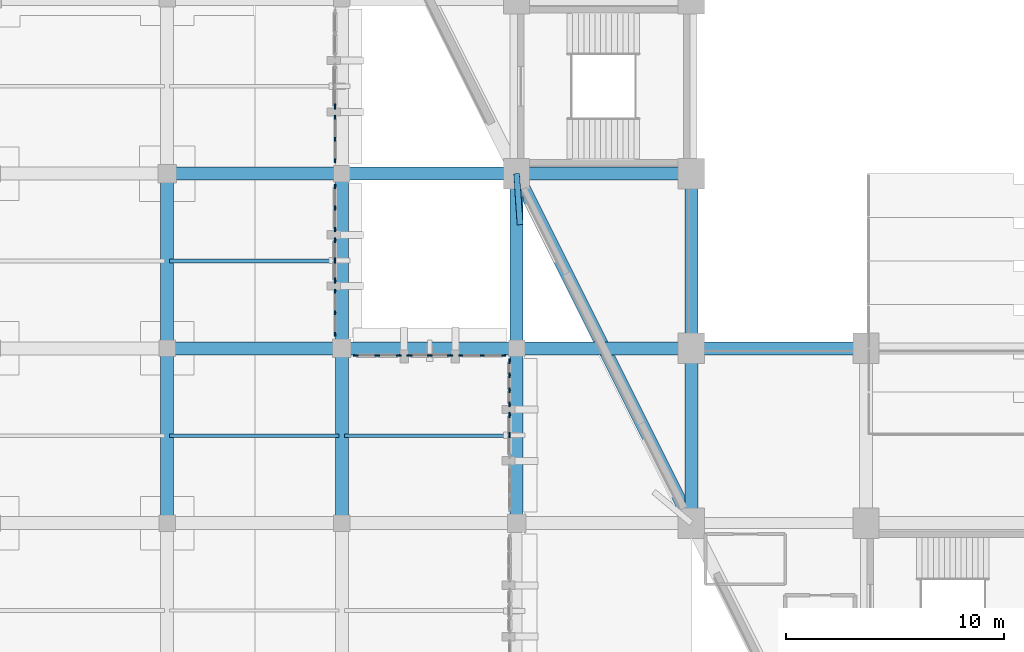
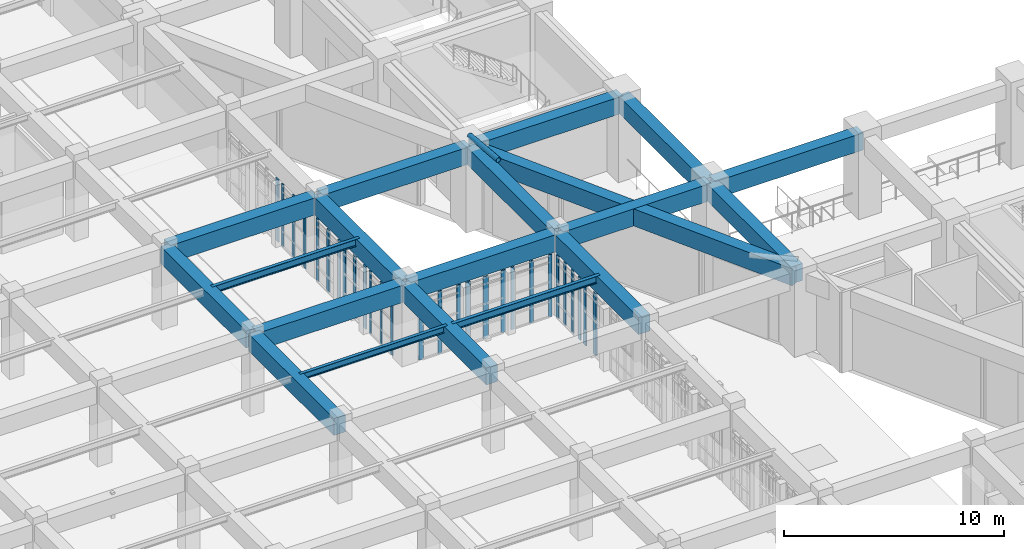
# One storey, part 16 of 155: 29 members, 19 beams, 10 elements without a shape of their own.
"""IFC4 building model written with IfcOpenShell, lengths in metres."""

import ifcopenshell
import ifcopenshell.guid

model = None  # the IFC model being written
_history = None  # IfcOwnerHistory: only IFC2X3 demands one
_inside = {}  # id of a spatial element -> (the spatial element, [elements in it])
_under = {}  # id of a project, library or spatial element -> (it, [spatial elements below it])
_declared = {}  # id of a project -> (the project, [libraries it declares])
_typed = {}  # id of a type object -> (the type object, [elements of that type])
_made_of = {}  # id of a material, layer set ... -> (it, [elements and type objects made of it])


def new_model(schema):
    """Start an empty IFC model of exactly this schema.

    Asked for "IFC4X3", IfcOpenShell would pick the latest addendum, in which some entities
    have other attributes; the version numbers below select the first issue.
    IFC2X3 requires an IfcOwnerHistory on every rooted entity: one is made here for all.
    """
    global model, _history
    if schema == "IFC4X3":
        model = ifcopenshell.file(schema_version=(4, 3, 0, 0))
    else:
        model = ifcopenshell.file(schema=schema)
    _inside.clear()
    _under.clear()
    _declared.clear()
    _typed.clear()
    _made_of.clear()
    _history = None
    if model.schema == "IFC2X3":
        org = make("IfcOrganization", Name="unknown")
        user = make(
            "IfcPersonAndOrganization",
            ThePerson=make("IfcPerson", FamilyName="unknown"),
            TheOrganization=org,
        )
        app = make(
            "IfcApplication",
            ApplicationDeveloper=org,
            Version="unknown",
            ApplicationFullName="unknown",
            ApplicationIdentifier="unknown",
        )
        _history = make(
            "IfcOwnerHistory",
            OwningUser=user,
            OwningApplication=app,
            ChangeAction="ADDED",
            CreationDate=0,
        )
    return model


def make(cls, **values):
    """One entity of the class cls with the attributes given. An attribute that is None is left unset."""
    return model.create_entity(
        cls, **{name: value for name, value in values.items() if value is not None}
    )


def rooted(cls, **values):
    """An entity with a GlobalId (a new one), such as an element, a storey or a relation."""
    return make(cls, GlobalId=ifcopenshell.guid.new(), OwnerHistory=_history, **values)


def si_unit(unit_type, name, prefix=None):
    """IfcSIUnit, for example si_unit("LENGTHUNIT", "METRE", prefix="MILLI")."""
    return make("IfcSIUnit", UnitType=unit_type, Prefix=prefix, Name=name)


def assignment(units):
    """IfcUnitAssignment: the units of a project."""
    return None if units is None else make("IfcUnitAssignment", Units=units)


def point(xyz):
    """IfcCartesianPoint."""
    return None if xyz is None else make("IfcCartesianPoint", Coordinates=xyz)


def direction(xyz):
    """IfcDirection."""
    return None if xyz is None else make("IfcDirection", DirectionRatios=xyz)


def frame(location, z_axis=None, x_axis=None):
    """IfcAxis2Placement3D, a coordinate frame: its origin and axes. An axis left out is left unset."""
    return make(
        "IfcAxis2Placement3D",
        Location=point(location),
        Axis=direction(z_axis),
        RefDirection=direction(x_axis),
    )


def frame_2d(location, x_axis=None):
    """IfcAxis2Placement2D, a coordinate frame in the plane: its origin and x axis."""
    return make(
        "IfcAxis2Placement2D", Location=point(location), RefDirection=direction(x_axis)
    )


def origin():
    """The frame at (0, 0, 0) with its axes left unset."""
    return frame((0.0, 0.0, 0.0))


def origin_2d():
    """The frame at (0, 0) in the plane with its x axis left unset."""
    return frame_2d((0.0, 0.0))


def place(relative_to, where):
    """IfcLocalPlacement: puts the frame where relative to a parent placement (None: the world)."""
    return make(
        "IfcLocalPlacement", PlacementRelTo=relative_to, RelativePlacement=where
    )


def context(
    kind, dimensions, precision=None, world=None, true_north=None, identifier=None
):
    """IfcGeometricRepresentationContext, for example the 3D "Model" context."""
    return make(
        "IfcGeometricRepresentationContext",
        ContextIdentifier=identifier,
        ContextType=kind,
        CoordinateSpaceDimension=dimensions,
        Precision=precision,
        WorldCoordinateSystem=world,
        TrueNorth=true_north,
    )


def subcontext(parent, identifier, kind, view, scale=None):
    """IfcGeometricRepresentationSubContext, for example "Body" below "Model"."""
    return make(
        "IfcGeometricRepresentationSubContext",
        ContextIdentifier=identifier,
        ContextType=kind,
        ParentContext=parent,
        TargetScale=scale,
        TargetView=view,
    )


def project(units=None, contexts=None):
    """IfcProject with its units and contexts."""
    return rooted(
        "IfcProject",
        Name="project",
        RepresentationContexts=contexts,
        UnitsInContext=assignment(units),
    )


def spatial(cls, under=None, at=None, **own):
    """A site, building, storey or space (cls), placed at a placement, below another one or the project."""
    s = rooted(cls, ObjectPlacement=at, **own)
    if under is not None:
        _under.setdefault(under.id(), (under, []))[1].append(s)
    return s


def profile(cls, at=None, kind="AREA", **sizes):
    """A parametric profile (cls). Its sizes go by their IFC names, for example OverallWidth=200.0."""
    return make(cls, ProfileType=kind, Position=at, **sizes)


def rectangle(**sizes):
    """IfcRectangleProfileDef."""
    return profile("IfcRectangleProfileDef", **sizes)


def hollow_circle(**sizes):
    """IfcCircleHollowProfileDef."""
    return profile("IfcCircleHollowProfileDef", **sizes)


def i_section(**sizes):
    """IfcIShapeProfileDef."""
    return profile("IfcIShapeProfileDef", **sizes)


def extrude(swept, where, along, depth):
    """IfcExtrudedAreaSolid: the profile swept, set in the frame where, extruded along a direction by depth."""
    return make(
        "IfcExtrudedAreaSolid",
        SweptArea=swept,
        Position=where,
        ExtrudedDirection=direction(along),
        Depth=depth,
    )


def shape(context_of_items, identifier, shape_type, items):
    """IfcShapeRepresentation: the items that make up one representation, for example the "Body"."""
    return make(
        "IfcShapeRepresentation",
        ContextOfItems=context_of_items,
        RepresentationIdentifier=identifier,
        RepresentationType=shape_type,
        Items=items,
    )


def material(Name=None, Category=None):
    """IfcMaterial."""
    return make("IfcMaterial", Name=Name, Category=Category)


def layer(
    of_material, thickness, ventilated=None, Name=None, Category=None, Priority=None
):
    """IfcMaterialLayer: one layer of a wall or slab, of a material (None: an air gap)."""
    return make(
        "IfcMaterialLayer",
        Material=of_material,
        LayerThickness=thickness,
        IsVentilated=ventilated,
        Name=Name,
        Category=Category,
        Priority=Priority,
    )


def layer_set(layers, Name=None):
    """IfcMaterialLayerSet."""
    return make("IfcMaterialLayerSet", MaterialLayers=layers, LayerSetName=Name)


def material_profile(
    of_material, cross_section, Name=None, Category=None, Priority=None
):
    """IfcMaterialProfile: a cross section and its material."""
    return make(
        "IfcMaterialProfile",
        Name=Name,
        Material=of_material,
        Profile=cross_section,
        Priority=Priority,
        Category=Category,
    )


def profile_set(profiles, Name=None, composite=None):
    """IfcMaterialProfileSet."""
    return make(
        "IfcMaterialProfileSet",
        Name=Name,
        MaterialProfiles=profiles,
        CompositeProfile=composite,
    )


def made_of(thing, what):
    """Note that an element or type object is made of a material, layer set ...; save() writes the relation."""
    if what is not None:
        _made_of.setdefault(what.id(), (what, []))[1].append(thing)
    return thing


def type_object(cls, material=None, **own):
    """A type object (cls), such as IfcWallType, which elements share."""
    return made_of(rooted(cls, **own), material)


def element(
    cls,
    number,
    at=None,
    inside=None,
    cuts=None,
    type_object=None,
    material=None,
    context=None,
    identifier="Body",
    shape_type=None,
    held_by="IfcProductDefinitionShape",
    body=None,
    shapes=None,
    **own,
):
    """One element of the class cls, such as IfcWall. Its Tag is "e" and its number.

    at: its placement. inside: the storey or other place that contains it. cuts: it is an
    opening in that element (IfcRelVoidsElement). A single representation is given by context,
    identifier, shape_type and body (its items); several are given by shapes. held_by: the class
    of the entity that holds the representations. save() writes the other relations.
    """
    e = rooted(cls, Tag="e%d" % number, ObjectPlacement=at, **own)
    if body is not None:
        shapes = [shape(context, identifier, shape_type, body)]
    if shapes is not None:
        e.Representation = make(held_by, Representations=shapes)
    if inside is not None:
        _inside.setdefault(inside.id(), (inside, []))[1].append(e)
    if cuts is not None:
        rooted(
            "IfcRelVoidsElement", RelatingBuildingElement=cuts, RelatedOpeningElement=e
        )
    if type_object is not None:
        _typed.setdefault(type_object.id(), (type_object, []))[1].append(e)
    return made_of(e, material)


def aggregate(whole, parts):
    """IfcRelAggregates: a whole, such as a stair, and the parts it consists of."""
    return rooted("IfcRelAggregates", RelatingObject=whole, RelatedObjects=parts)


def save(model, path):
    """Write the relations noted so far, then the file.

    IfcRelAggregates (storeys below a building ...), IfcRelContainedInSpatialStructure (elements
    in a storey), IfcRelDefinesByType, IfcRelAssociatesMaterial and IfcRelDeclares: one each for
    every whole, place, type object, material and project.
    """
    for whole, parts in _under.values():
        aggregate(whole, parts)
    for where, things in _inside.values():
        rooted(
            "IfcRelContainedInSpatialStructure",
            RelatedElements=things,
            RelatingStructure=where,
        )
    for kind, things in _typed.values():
        rooted("IfcRelDefinesByType", RelatedObjects=things, RelatingType=kind)
    for what, things in _made_of.values():
        rooted("IfcRelAssociatesMaterial", RelatedObjects=things, RelatingMaterial=what)
    for by, libraries in _declared.values():
        rooted("IfcRelDeclares", RelatingContext=by, RelatedDefinitions=libraries)
    model.write(path)


model = new_model("IFC4")

# Units and contexts
model_context = context("Model", 3, precision=1e-05, world=origin(), true_north=direction((0.0, 1.0)))
body_context = subcontext(model_context, "Body", "Model", "MODEL_VIEW")
ifc_project = project(units=[si_unit("LENGTHUNIT", "METRE"), si_unit("AREAUNIT", "SQUARE_METRE"), si_unit("VOLUMEUNIT", "CUBIC_METRE"), si_unit("PLANEANGLEUNIT", "RADIAN"), si_unit("MASSUNIT", "GRAM", prefix="KILO")], contexts=[model_context])

# Site, building, storey
site_placement = place(None, origin())
site = spatial("IfcSite", under=ifc_project, at=site_placement, CompositionType="ELEMENT")
building_placement = place(site_placement, origin())
building = spatial("IfcBuilding", under=site, at=building_placement, Name="Tazarka Park Arena", CompositionType="ELEMENT")
storey_placement = place(building_placement, frame((0.0, 0.0, 5.39990234375)))
storey = spatial("IfcBuildingStorey", under=building, at=storey_placement, Name="L01", CompositionType="ELEMENT", Elevation=5.39990234375)

# Beams
ifc_material_1 = material(Name="Concrete C40/50", Category="concrete")
ifc_material_profile_1 = material_profile(ifc_material_1, rectangle(XDim=0.60009765625, YDim=0.949951171875, at=origin_2d()), Name="Concrete C40/50")
ifc_profile_set_1 = profile_set([ifc_material_profile_1], Name="Concrete C40/50")
beam_type_1 = type_object("IfcBeamType", Name="BM-B-03", PredefinedType="BEAM", material=ifc_profile_set_1)
for number, where, z_axis, x_axis, name in (
    (1, (32.0, 32.1201171875, 3.945068359375), (0.0, 1.0, 0.0), (-1.0, 0.0, 0.0), "GYM-L01-04-04"),
    (2, (32.1201171875, 40.0, 3.945068359375), (1.0, 0.0, 0.0), (0.0, 1.0, 0.0), "GXM-L01-04-05"),
    (3, (32.0, 40.1201171875, 3.945068359375), (0.0, 1.0, 0.0), (-1.0, 0.0, 0.0), "GYM-L01-04-05"),
    (4, (32.1201171875, 48.0, 3.945068359375), (1.0, 0.0, 0.0), (0.0, 1.0, 0.0), "GXM-L01-04-06"),
    (5, (40.0, 32.1201171875, 3.945068359375), (0.0, 1.0, 0.0), (-1.0, 0.0, 0.0), "GYM-L01-05-04"),
    (6, (40.1201171875, 40.0, 3.945068359375), (1.0, 0.0, 0.0), (0.0, 1.0, 0.0), "GXM-L01-05-05"),
    (7, (40.0, 40.1201171875, 3.945068359375), (0.0, 1.0, 0.0), (-1.0, 0.0, 0.0), "GYM-L01-05-05"),
    (8, (40.1201171875, 48.0, 3.945068359375), (1.0, 0.0, 0.0), (0.0, 1.0, 0.0), "GXM-L01-05-06"),
    (9, (48.0, 32.1201171875, 3.945068359375), (0.0, 1.0, 0.0), (-1.0, 0.0, 0.0), "GYM-L01-06-04"),
    (10, (48.1201171875, 40.0, 3.945068359375), (1.0, 0.0, 0.0), (0.0, 1.0, 0.0), "GXM-L01-06-05"),
    (11, (48.0, 40.1201171875, 3.945068359375), (0.0, 1.0, 0.0), (-1.0, 0.0, 0.0), "GYM-L01-06-05"),
    (12, (48.1201171875, 48.0, 3.945068359375), (1.0, 0.0, 0.0), (0.0, 1.0, 0.0), "GXM-L01-06-06"),
    (13, (56.0, 32.1201171875, 3.945068359375), (0.0, 1.0, 0.0), (-1.0, 0.0, 0.0), "GYM-L01-07-04"),
    (14, (56.1201171875, 40.0, 3.945068359375), (1.0, 0.0, 0.0), (0.0, 1.0, 0.0), "GXM-L01-07-05"),
    (15, (56.0, 40.1201171875, 3.945068359375), (0.0, 1.0, 0.0), (-1.0, 0.0, 0.0), "GYM-L01-07-05"),
):
    element("IfcBeam", number, at=place(storey_placement, frame(where, z_axis=z_axis, x_axis=x_axis)), inside=storey, type_object=beam_type_1, Name=name, PredefinedType="BEAM", context=body_context, shape_type="SweptSolid", body=[
        extrude(rectangle(XDim=0.60009765625, YDim=0.949951171875, at=origin_2d()), origin(), (0.0, 0.0, 1.0), 7.759765625),
    ])
ifc_material_2 = material(Name="Steel S355", Category="steel")
ifc_material_profile_2 = material_profile(ifc_material_2, i_section(OverallWidth=0.169921875, OverallDepth=0.360107421875, WebThickness=0.008056640625, FlangeThickness=0.0126953125, FilletRadius=0.01806640625, at=origin_2d()), Name="Steel S355")
ifc_profile_set_2 = profile_set([ifc_material_profile_2], Name="Steel S355")
beam_type_2 = type_object("IfcBeamType", Name="BM-J-02", PredefinedType="JOIST", material=ifc_profile_set_2)
beam_1_placement = place(storey_placement, frame((32.1201171875, 36.0, 4.239990234375), z_axis=(1.0, 0.0, 0.0), x_axis=(0.0, 1.0, 0.0)))
element("IfcBeam", 16, at=beam_1_placement, inside=storey, type_object=beam_type_2, Name="JST-L01-04-04", PredefinedType="JOIST", context=body_context, shape_type="SweptSolid", body=[
    extrude(i_section(OverallWidth=0.169921875, OverallDepth=0.360107421875, WebThickness=0.008056640625, FlangeThickness=0.0126953125, FilletRadius=0.01806640625, at=origin_2d()), origin(), (0.0, 0.0, 1.0), 7.759765625),
])
ifc_material_3 = material(Name="Steel S355", Category="steel")
ifc_material_profile_3 = material_profile(ifc_material_3, i_section(OverallWidth=0.179931640625, OverallDepth=0.39990234375, WebThickness=0.008544921875, FlangeThickness=0.013427734375, FilletRadius=0.02099609375, at=origin_2d()), Name="Steel S355")
ifc_profile_set_3 = profile_set([ifc_material_profile_3], Name="Steel S355")
beam_type_3 = type_object("IfcBeamType", Name="BM-J-03", PredefinedType="JOIST", material=ifc_profile_set_3)
for number, where, z_axis, x_axis, name in (
    (17, (32.1201171875, 44.0, 4.22021484375), (1.0, 0.0, 0.0), (0.0, 1.0, 0.0), "JST-L01-04-05"),
    (18, (40.1201171875, 36.0, 4.22021484375), (1.0, 0.0, 0.0), (0.0, 1.0, 0.0), "JST-L01-05-04"),
):
    element("IfcBeam", number, at=place(storey_placement, frame(where, z_axis=z_axis, x_axis=x_axis)), inside=storey, type_object=beam_type_3, Name=name, PredefinedType="JOIST", context=body_context, shape_type="SweptSolid", body=[
        extrude(i_section(OverallWidth=0.179931640625, OverallDepth=0.39990234375, WebThickness=0.008544921875, FlangeThickness=0.013427734375, FilletRadius=0.02099609375, at=origin_2d()), origin(), (0.0, 0.0, 1.0), 7.759765625),
    ])
ifc_material_4 = material(Name="Concrete C40/50", Category="concrete")
ifc_material_profile_4 = material_profile(ifc_material_4, rectangle(XDim=0.60009765625, YDim=0.949951171875, at=origin_2d()), Name="Concrete C40/50")
ifc_profile_set_4 = profile_set([ifc_material_profile_4], Name="Concrete C40/50")
beam_type_4 = type_object("IfcBeamType", Name="BM-SP-03", PredefinedType="SPANDREL", material=ifc_profile_set_4)
beam_2_placement = place(storey_placement, frame((48.0537109375, 47.892578125, 3.945068359375), z_axis=(0.4472135955, -0.894427191, 0.0), x_axis=(0.894427191, 0.4472135955, 0.0)))
element("IfcBeam", 19, at=beam_2_placement, inside=storey, type_object=beam_type_4, Name="RING BEAM SP-03-L01-23", PredefinedType="SPANDREL", context=body_context, shape_type="SweptSolid", body=[
    extrude(rectangle(XDim=0.60009765625, YDim=0.949951171875, at=origin_2d()), origin(), (0.0, 0.0, 1.0), 17.6484375),
])

# Curtain wall, members
ifc_material_5 = material(Name="Aluminium and low-e glass", Category="aluminium")
ifc_layer_1 = layer(ifc_material_5, 0.179931640625, Name="Aluminium and low-e glass")
ifc_layer_set_1 = layer_set([ifc_layer_1], Name="Aluminium and low-e glass")
curtain_wall_type_1 = type_object("IfcCurtainWallType", Name="CW-12", PredefinedType="NOTDEFINED", material=ifc_layer_set_1)
curtain_wall_1_placement = place(storey_placement, origin())
curtain_wall_1 = element("IfcCurtainWall", 20, at=curtain_wall_1_placement, inside=storey, type_object=curtain_wall_type_1, Name="Curtain Wall CWA-L01-102", PredefinedType="NOTDEFINED")
ifc_material_6 = material(Name="Aluminium 6060-T66", Category="aluminium")
ifc_material_profile_5 = material_profile(ifc_material_6, rectangle(XDim=0.06494140625, YDim=0.179931640625, at=origin_2d()), Name="Aluminium 6060-T66")
ifc_profile_set_5 = profile_set([ifc_material_profile_5], Name="Aluminium 6060-T66")
member_type_1 = type_object("IfcMemberType", Name="CWM-01", PredefinedType="MULLION", material=ifc_profile_set_5)
member_1_placement = place(storey_placement, frame((45.44091796875, 39.679931640625, 0.0), z_axis=(0.0, 0.0, 1.0), x_axis=(0.0, 1.0, 0.0)))
member_1 = element("IfcMember", 21, at=member_1_placement, type_object=member_type_1, Name="CW-12 mullion 1", PredefinedType="MULLION", context=body_context, shape_type="SweptSolid", body=[
    extrude(rectangle(XDim=0.06494140625, YDim=0.179931640625, at=origin_2d()), origin(), (0.0, 0.0, 1.0), 3.4501953125),
])
member_2_placement = place(storey_placement, frame((46.4267578125, 39.679931640625, 0.0), z_axis=(0.0, 0.0, 1.0), x_axis=(0.0, 1.0, 0.0)))
member_2 = element("IfcMember", 22, at=member_2_placement, type_object=member_type_1, Name="CW-12 mullion 2", PredefinedType="MULLION", context=body_context, shape_type="SweptSolid", body=[
    extrude(rectangle(XDim=0.06494140625, YDim=0.179931640625, at=origin_2d()), origin(), (0.0, 0.0, 1.0), 3.4501953125),
])
member_3_placement = place(storey_placement, frame((47.41259765625, 39.679931640625, 0.0), z_axis=(0.0, 0.0, 1.0), x_axis=(0.0, 1.0, 0.0)))
member_3 = element("IfcMember", 23, at=member_3_placement, type_object=member_type_1, Name="CW-12 mullion 3", PredefinedType="MULLION", context=body_context, shape_type="SweptSolid", body=[
    extrude(rectangle(XDim=0.06494140625, YDim=0.179931640625, at=origin_2d()), origin(), (0.0, 0.0, 1.0), 3.4501953125),
])
aggregate(curtain_wall_1, [member_1, member_2, member_3])

ifc_material_7 = material(Name="Aluminium and low-e glass", Category="aluminium")
ifc_layer_2 = layer(ifc_material_7, 0.179931640625, Name="Aluminium and low-e glass")
ifc_layer_set_2 = layer_set([ifc_layer_2], Name="Aluminium and low-e glass")
curtain_wall_type_2 = type_object("IfcCurtainWallType", Name="CW-15", PredefinedType="NOTDEFINED", material=ifc_layer_set_2)
curtain_wall_2_placement = place(storey_placement, origin())
curtain_wall_2 = element("IfcCurtainWall", 24, at=curtain_wall_2_placement, inside=storey, type_object=curtain_wall_type_2, Name="Curtain Wall CWA-L01-105", PredefinedType="NOTDEFINED")
member_4_placement = place(storey_placement, frame((39.679931640625, 42.609130859375, 0.0), z_axis=(0.0, 0.0, 1.0), x_axis=(1.0, 0.0, 0.0)))
member_4 = element("IfcMember", 25, at=member_4_placement, type_object=member_type_1, Name="CW-15 mullion 1", PredefinedType="MULLION", context=body_context, shape_type="SweptSolid", body=[
    extrude(rectangle(XDim=0.06494140625, YDim=0.179931640625, at=origin_2d()), origin(), (0.0, 0.0, 1.0), 3.4501953125),
])
member_5_placement = place(storey_placement, frame((39.679931640625, 41.623291015625, 0.0), z_axis=(0.0, 0.0, 1.0), x_axis=(1.0, 0.0, 0.0)))
member_5 = element("IfcMember", 26, at=member_5_placement, type_object=member_type_1, Name="CW-15 mullion 2", PredefinedType="MULLION", context=body_context, shape_type="SweptSolid", body=[
    extrude(rectangle(XDim=0.06494140625, YDim=0.179931640625, at=origin_2d()), origin(), (0.0, 0.0, 1.0), 3.4501953125),
])
member_6_placement = place(storey_placement, frame((39.679931640625, 40.637451171875, 0.0), z_axis=(0.0, 0.0, 1.0), x_axis=(1.0, 0.0, 0.0)))
member_6 = element("IfcMember", 27, at=member_6_placement, type_object=member_type_1, Name="CW-15 mullion 3", PredefinedType="MULLION", context=body_context, shape_type="SweptSolid", body=[
    extrude(rectangle(XDim=0.06494140625, YDim=0.179931640625, at=origin_2d()), origin(), (0.0, 0.0, 1.0), 3.4501953125),
])
aggregate(curtain_wall_2, [member_4, member_5, member_6])

ifc_material_8 = material(Name="Aluminium and low-e glass", Category="aluminium")
ifc_layer_3 = layer(ifc_material_8, 0.179931640625, Name="Aluminium and low-e glass")
ifc_layer_set_3 = layer_set([ifc_layer_3], Name="Aluminium and low-e glass")
curtain_wall_type_3 = type_object("IfcCurtainWallType", Name="CW-18", PredefinedType="NOTDEFINED", material=ifc_layer_set_3)
curtain_wall_3_placement = place(storey_placement, origin())
curtain_wall_3 = element("IfcCurtainWall", 28, at=curtain_wall_3_placement, inside=storey, type_object=curtain_wall_type_3, Name="Curtain Wall CWA-L01-108", PredefinedType="NOTDEFINED")
member_7_placement = place(storey_placement, frame((39.679931640625, 50.57568359375, 0.0), z_axis=(0.0, 0.0, 1.0), x_axis=(1.0, 0.0, 0.0)))
member_7 = element("IfcMember", 29, at=member_7_placement, type_object=member_type_1, Name="CW-18 mullion 1", PredefinedType="MULLION", context=body_context, shape_type="SweptSolid", body=[
    extrude(rectangle(XDim=0.06494140625, YDim=0.179931640625, at=origin_2d()), origin(), (0.0, 0.0, 1.0), 3.4501953125),
])
member_8_placement = place(storey_placement, frame((39.679931640625, 49.58154296875, 0.0), z_axis=(0.0, 0.0, 1.0), x_axis=(1.0, 0.0, 0.0)))
member_8 = element("IfcMember", 30, at=member_8_placement, type_object=member_type_1, Name="CW-18 mullion 2", PredefinedType="MULLION", context=body_context, shape_type="SweptSolid", body=[
    extrude(rectangle(XDim=0.06494140625, YDim=0.179931640625, at=origin_2d()), origin(), (0.0, 0.0, 1.0), 3.4501953125),
])
member_9_placement = place(storey_placement, frame((39.679931640625, 48.58740234375, 0.0), z_axis=(0.0, 0.0, 1.0), x_axis=(1.0, 0.0, 0.0)))
member_9 = element("IfcMember", 31, at=member_9_placement, type_object=member_type_1, Name="CW-18 mullion 3", PredefinedType="MULLION", context=body_context, shape_type="SweptSolid", body=[
    extrude(rectangle(XDim=0.06494140625, YDim=0.179931640625, at=origin_2d()), origin(), (0.0, 0.0, 1.0), 3.4501953125),
])
aggregate(curtain_wall_3, [member_7, member_8, member_9])

ifc_material_9 = material(Name="Aluminium and low-e glass", Category="aluminium")
ifc_layer_4 = layer(ifc_material_9, 0.179931640625, Name="Aluminium and low-e glass")
ifc_layer_set_4 = layer_set([ifc_layer_4], Name="Aluminium and low-e glass")
curtain_wall_type_4 = type_object("IfcCurtainWallType", Name="CW-07", PredefinedType="NOTDEFINED", material=ifc_layer_set_4)
curtain_wall_4_placement = place(storey_placement, origin())
curtain_wall_4 = element("IfcCurtainWall", 32, at=curtain_wall_4_placement, inside=storey, type_object=curtain_wall_type_4, Name="Curtain Wall CWA-L01-097", PredefinedType="NOTDEFINED")
ifc_material_10 = material(Name="Aluminium 6060-T66", Category="aluminium")
ifc_material_profile_6 = material_profile(ifc_material_10, rectangle(XDim=0.06494140625, YDim=0.219970703125, at=origin_2d()), Name="Aluminium 6060-T66")
ifc_profile_set_6 = profile_set([ifc_material_profile_6], Name="Aluminium 6060-T66")
member_type_2 = type_object("IfcMemberType", Name="CWM-02", PredefinedType="MULLION", material=ifc_profile_set_6)
member_10_placement = place(storey_placement, frame((47.679931640625, 39.41259765625, 0.0), z_axis=(0.0, 0.0, 1.0), x_axis=(1.0, 0.0, 0.0)))
member_10 = element("IfcMember", 33, at=member_10_placement, type_object=member_type_2, Name="CW-07 mullion 1", PredefinedType="MULLION", context=body_context, shape_type="SweptSolid", body=[
    extrude(rectangle(XDim=0.06494140625, YDim=0.219970703125, at=origin_2d()), origin(), (0.0, 0.0, 1.0), 3.4501953125),
])
member_11_placement = place(storey_placement, frame((47.679931640625, 38.76611328125, 0.0), z_axis=(0.0, 0.0, 1.0), x_axis=(1.0, 0.0, 0.0)))
member_11 = element("IfcMember", 34, at=member_11_placement, type_object=member_type_2, Name="CW-07 mullion 2", PredefinedType="MULLION", context=body_context, shape_type="SweptSolid", body=[
    extrude(rectangle(XDim=0.06494140625, YDim=0.219970703125, at=origin_2d()), origin(), (0.0, 0.0, 1.0), 3.4501953125),
])
member_12_placement = place(storey_placement, frame((47.679931640625, 38.087158203125, 0.0), z_axis=(0.0, 0.0, 1.0), x_axis=(1.0, 0.0, 0.0)))
member_12 = element("IfcMember", 35, at=member_12_placement, type_object=member_type_2, Name="CW-07 mullion 3", PredefinedType="MULLION", context=body_context, shape_type="SweptSolid", body=[
    extrude(rectangle(XDim=0.06494140625, YDim=0.219970703125, at=origin_2d()), origin(), (0.0, 0.0, 1.0), 3.4501953125),
])
member_13_placement = place(storey_placement, frame((47.679931640625, 37.44091796875, 0.0), z_axis=(0.0, 0.0, 1.0), x_axis=(1.0, 0.0, 0.0)))
member_13 = element("IfcMember", 36, at=member_13_placement, type_object=member_type_2, Name="CW-07 mullion 4", PredefinedType="MULLION", context=body_context, shape_type="SweptSolid", body=[
    extrude(rectangle(XDim=0.06494140625, YDim=0.219970703125, at=origin_2d()), origin(), (0.0, 0.0, 1.0), 3.4501953125),
])
aggregate(curtain_wall_4, [member_10, member_11, member_12, member_13])

ifc_material_11 = material(Name="Aluminium and low-e glass", Category="aluminium")
ifc_layer_5 = layer(ifc_material_11, 0.179931640625, Name="Aluminium and low-e glass")
ifc_layer_set_5 = layer_set([ifc_layer_5], Name="Aluminium and low-e glass")
curtain_wall_type_5 = type_object("IfcCurtainWallType", Name="CW-10", PredefinedType="NOTDEFINED", material=ifc_layer_set_5)
curtain_wall_5_placement = place(storey_placement, origin())
curtain_wall_5 = element("IfcCurtainWall", 37, at=curtain_wall_5_placement, inside=storey, type_object=curtain_wall_type_5, Name="Curtain Wall CWA-L01-100", PredefinedType="NOTDEFINED")
member_14_placement = place(storey_placement, frame((40.637451171875, 39.679931640625, 0.0), z_axis=(0.0, 0.0, 1.0), x_axis=(0.0, 1.0, 0.0)))
member_14 = element("IfcMember", 38, at=member_14_placement, type_object=member_type_2, Name="CW-10 mullion 1", PredefinedType="MULLION", context=body_context, shape_type="SweptSolid", body=[
    extrude(rectangle(XDim=0.06494140625, YDim=0.219970703125, at=origin_2d()), origin(), (0.0, 0.0, 1.0), 3.4501953125),
])
member_15_placement = place(storey_placement, frame((41.623291015625, 39.679931640625, 0.0), z_axis=(0.0, 0.0, 1.0), x_axis=(0.0, 1.0, 0.0)))
member_15 = element("IfcMember", 39, at=member_15_placement, type_object=member_type_2, Name="CW-10 mullion 2", PredefinedType="MULLION", context=body_context, shape_type="SweptSolid", body=[
    extrude(rectangle(XDim=0.06494140625, YDim=0.219970703125, at=origin_2d()), origin(), (0.0, 0.0, 1.0), 3.4501953125),
])
member_16_placement = place(storey_placement, frame((42.609130859375, 39.679931640625, 0.0), z_axis=(0.0, 0.0, 1.0), x_axis=(0.0, 1.0, 0.0)))
member_16 = element("IfcMember", 40, at=member_16_placement, type_object=member_type_2, Name="CW-10 mullion 3", PredefinedType="MULLION", context=body_context, shape_type="SweptSolid", body=[
    extrude(rectangle(XDim=0.06494140625, YDim=0.219970703125, at=origin_2d()), origin(), (0.0, 0.0, 1.0), 3.4501953125),
])
aggregate(curtain_wall_5, [member_14, member_15, member_16])

ifc_material_12 = material(Name="Aluminium and low-e glass", Category="aluminium")
ifc_layer_6 = layer(ifc_material_12, 0.179931640625, Name="Aluminium and low-e glass")
ifc_layer_set_6 = layer_set([ifc_layer_6], Name="Aluminium and low-e glass")
curtain_wall_type_6 = type_object("IfcCurtainWallType", Name="CW-13", PredefinedType="NOTDEFINED", material=ifc_layer_set_6)
curtain_wall_6_placement = place(storey_placement, origin())
curtain_wall_6 = element("IfcCurtainWall", 41, at=curtain_wall_6_placement, inside=storey, type_object=curtain_wall_type_6, Name="Curtain Wall CWA-L01-103", PredefinedType="NOTDEFINED")
member_17_placement = place(storey_placement, frame((39.679931640625, 47.41259765625, 0.0), z_axis=(0.0, 0.0, 1.0), x_axis=(1.0, 0.0, 0.0)))
member_17 = element("IfcMember", 42, at=member_17_placement, type_object=member_type_2, Name="CW-13 mullion 1", PredefinedType="MULLION", context=body_context, shape_type="SweptSolid", body=[
    extrude(rectangle(XDim=0.06494140625, YDim=0.219970703125, at=origin_2d()), origin(), (0.0, 0.0, 1.0), 3.4501953125),
])
member_18_placement = place(storey_placement, frame((39.679931640625, 46.4267578125, 0.0), z_axis=(0.0, 0.0, 1.0), x_axis=(1.0, 0.0, 0.0)))
member_18 = element("IfcMember", 43, at=member_18_placement, type_object=member_type_2, Name="CW-13 mullion 2", PredefinedType="MULLION", context=body_context, shape_type="SweptSolid", body=[
    extrude(rectangle(XDim=0.06494140625, YDim=0.219970703125, at=origin_2d()), origin(), (0.0, 0.0, 1.0), 3.4501953125),
])
member_19_placement = place(storey_placement, frame((39.679931640625, 45.44091796875, 0.0), z_axis=(0.0, 0.0, 1.0), x_axis=(1.0, 0.0, 0.0)))
member_19 = element("IfcMember", 44, at=member_19_placement, type_object=member_type_2, Name="CW-13 mullion 3", PredefinedType="MULLION", context=body_context, shape_type="SweptSolid", body=[
    extrude(rectangle(XDim=0.06494140625, YDim=0.219970703125, at=origin_2d()), origin(), (0.0, 0.0, 1.0), 3.4501953125),
])
aggregate(curtain_wall_6, [member_17, member_18, member_19])

ifc_material_13 = material(Name="Aluminium and low-e glass", Category="aluminium")
ifc_layer_7 = layer(ifc_material_13, 0.179931640625, Name="Aluminium and low-e glass")
ifc_layer_set_7 = layer_set([ifc_layer_7], Name="Aluminium and low-e glass")
curtain_wall_type_7 = type_object("IfcCurtainWallType", Name="CW-08", PredefinedType="NOTDEFINED", material=ifc_layer_set_7)
curtain_wall_7_placement = place(storey_placement, origin())
curtain_wall_7 = element("IfcCurtainWall", 45, at=curtain_wall_7_placement, inside=storey, type_object=curtain_wall_type_7, Name="Curtain Wall CWA-L01-098", PredefinedType="NOTDEFINED")
ifc_material_14 = material(Name="Aluminium 6060-T66", Category="aluminium")
ifc_material_profile_7 = material_profile(ifc_material_14, rectangle(XDim=0.074951171875, YDim=0.25, at=origin_2d()), Name="Aluminium 6060-T66")
ifc_profile_set_7 = profile_set([ifc_material_profile_7], Name="Aluminium 6060-T66")
member_type_3 = type_object("IfcMemberType", Name="CWM-03", PredefinedType="MULLION", material=ifc_profile_set_7)
member_20_placement = place(storey_placement, frame((47.679931640625, 36.95068359375, 0.0), z_axis=(0.0, 0.0, 1.0), x_axis=(1.0, 0.0, 0.0)))
member_20 = element("IfcMember", 46, at=member_20_placement, type_object=member_type_3, Name="CW-08 mullion 1", PredefinedType="MULLION", context=body_context, shape_type="SweptSolid", body=[
    extrude(rectangle(XDim=0.074951171875, YDim=0.25, at=origin_2d()), origin(), (0.0, 0.0, 1.0), 3.4501953125),
])
member_21_placement = place(storey_placement, frame((47.679931640625, 36.02490234375, 0.0), z_axis=(0.0, 0.0, 1.0), x_axis=(1.0, 0.0, 0.0)))
member_21 = element("IfcMember", 47, at=member_21_placement, type_object=member_type_3, Name="CW-08 mullion 2", PredefinedType="MULLION", context=body_context, shape_type="SweptSolid", body=[
    extrude(rectangle(XDim=0.074951171875, YDim=0.25, at=origin_2d()), origin(), (0.0, 0.0, 1.0), 3.4501953125),
])
aggregate(curtain_wall_7, [member_20, member_21])

ifc_material_15 = material(Name="Aluminium and low-e glass", Category="aluminium")
ifc_layer_8 = layer(ifc_material_15, 0.179931640625, Name="Aluminium and low-e glass")
ifc_layer_set_8 = layer_set([ifc_layer_8], Name="Aluminium and low-e glass")
curtain_wall_type_8 = type_object("IfcCurtainWallType", Name="CW-11", PredefinedType="NOTDEFINED", material=ifc_layer_set_8)
curtain_wall_8_placement = place(storey_placement, origin())
curtain_wall_8 = element("IfcCurtainWall", 48, at=curtain_wall_8_placement, inside=storey, type_object=curtain_wall_type_8, Name="Curtain Wall CWA-L01-101", PredefinedType="NOTDEFINED")
member_22_placement = place(storey_placement, frame((43.09912109375, 39.679931640625, 0.0), z_axis=(0.0, 0.0, 1.0), x_axis=(0.0, 1.0, 0.0)))
member_22 = element("IfcMember", 49, at=member_22_placement, type_object=member_type_3, Name="CW-11 mullion 1", PredefinedType="MULLION", context=body_context, shape_type="SweptSolid", body=[
    extrude(rectangle(XDim=0.074951171875, YDim=0.25, at=origin_2d()), origin(), (0.0, 0.0, 1.0), 3.4501953125),
])
member_23_placement = place(storey_placement, frame((44.02490234375, 39.679931640625, 0.0), z_axis=(0.0, 0.0, 1.0), x_axis=(0.0, 1.0, 0.0)))
member_23 = element("IfcMember", 50, at=member_23_placement, type_object=member_type_3, Name="CW-11 mullion 2", PredefinedType="MULLION", context=body_context, shape_type="SweptSolid", body=[
    extrude(rectangle(XDim=0.074951171875, YDim=0.25, at=origin_2d()), origin(), (0.0, 0.0, 1.0), 3.4501953125),
])
member_24_placement = place(storey_placement, frame((44.95068359375, 39.679931640625, 0.0), z_axis=(0.0, 0.0, 1.0), x_axis=(0.0, 1.0, 0.0)))
member_24 = element("IfcMember", 51, at=member_24_placement, type_object=member_type_3, Name="CW-11 mullion 3", PredefinedType="MULLION", context=body_context, shape_type="SweptSolid", body=[
    extrude(rectangle(XDim=0.074951171875, YDim=0.25, at=origin_2d()), origin(), (0.0, 0.0, 1.0), 3.4501953125),
])
aggregate(curtain_wall_8, [member_22, member_23, member_24])

ifc_material_16 = material(Name="Aluminium and low-e glass", Category="aluminium")
ifc_layer_9 = layer(ifc_material_16, 0.179931640625, Name="Aluminium and low-e glass")
ifc_layer_set_9 = layer_set([ifc_layer_9], Name="Aluminium and low-e glass")
curtain_wall_type_9 = type_object("IfcCurtainWallType", Name="CW-14", PredefinedType="NOTDEFINED", material=ifc_layer_set_9)
curtain_wall_9_placement = place(storey_placement, origin())
curtain_wall_9 = element("IfcCurtainWall", 52, at=curtain_wall_9_placement, inside=storey, type_object=curtain_wall_type_9, Name="Curtain Wall CWA-L01-104", PredefinedType="NOTDEFINED")
member_25_placement = place(storey_placement, frame((39.679931640625, 44.95068359375, 0.0), z_axis=(0.0, 0.0, 1.0), x_axis=(1.0, 0.0, 0.0)))
member_25 = element("IfcMember", 53, at=member_25_placement, type_object=member_type_3, Name="CW-14 mullion 1", PredefinedType="MULLION", context=body_context, shape_type="SweptSolid", body=[
    extrude(rectangle(XDim=0.074951171875, YDim=0.25, at=origin_2d()), origin(), (0.0, 0.0, 1.0), 3.4501953125),
])
member_26_placement = place(storey_placement, frame((39.679931640625, 44.02490234375, 0.0), z_axis=(0.0, 0.0, 1.0), x_axis=(1.0, 0.0, 0.0)))
member_26 = element("IfcMember", 54, at=member_26_placement, type_object=member_type_3, Name="CW-14 mullion 2", PredefinedType="MULLION", context=body_context, shape_type="SweptSolid", body=[
    extrude(rectangle(XDim=0.074951171875, YDim=0.25, at=origin_2d()), origin(), (0.0, 0.0, 1.0), 3.4501953125),
])
member_27_placement = place(storey_placement, frame((39.679931640625, 43.09912109375, 0.0), z_axis=(0.0, 0.0, 1.0), x_axis=(1.0, 0.0, 0.0)))
member_27 = element("IfcMember", 55, at=member_27_placement, type_object=member_type_3, Name="CW-14 mullion 3", PredefinedType="MULLION", context=body_context, shape_type="SweptSolid", body=[
    extrude(rectangle(XDim=0.074951171875, YDim=0.25, at=origin_2d()), origin(), (0.0, 0.0, 1.0), 3.4501953125),
])
aggregate(curtain_wall_9, [member_25, member_26, member_27])

# Curtain wall, member
ifc_material_17 = material(Name="Aluminium and low-e glass", Category="aluminium")
ifc_layer_10 = layer(ifc_material_17, 0.179931640625, Name="Aluminium and low-e glass")
ifc_layer_set_10 = layer_set([ifc_layer_10], Name="Aluminium and low-e glass")
curtain_wall_type_10 = type_object("IfcCurtainWallType", Name="CW-17", PredefinedType="NOTDEFINED", material=ifc_layer_set_10)
curtain_wall_10_placement = place(storey_placement, origin())
curtain_wall_10 = element("IfcCurtainWall", 56, at=curtain_wall_10_placement, inside=storey, type_object=curtain_wall_type_10, Name="Curtain Wall CWA-L01-107", PredefinedType="NOTDEFINED")
member_28_placement = place(storey_placement, frame((39.679931640625, 51.06591796875, 0.0), z_axis=(0.0, 0.0, 1.0), x_axis=(1.0, 0.0, 0.0)))
member_28 = element("IfcMember", 57, at=member_28_placement, type_object=member_type_3, Name="CW-17 mullion 3", PredefinedType="MULLION", context=body_context, shape_type="SweptSolid", body=[
    extrude(rectangle(XDim=0.074951171875, YDim=0.25, at=origin_2d()), origin(), (0.0, 0.0, 1.0), 3.4501953125),
])
aggregate(curtain_wall_10, [member_28])

# Member
ifc_material_18 = material(Name="Steel S355", Category="steel")
ifc_material_profile_8 = material_profile(ifc_material_18, hollow_circle(Radius=0.136474609375, WallThickness=0.012451171875, at=origin_2d()), Name="Steel S355")
ifc_profile_set_8 = profile_set([ifc_material_profile_8], Name="Steel S355")
member_type_4 = type_object("IfcMemberType", Name="MEM-SR-01", PredefinedType="STRUT", material=ifc_profile_set_8)
member_29_placement = place(storey_placement, frame((48.0, 48.0, 4.800048828125), z_axis=(0.069395698306, -0.99758921258, 0.0), x_axis=(0.99758921258, 0.069395698306, 0.0)))
element("IfcMember", 58, at=member_29_placement, inside=storey, type_object=member_type_4, Name="FSB-22", PredefinedType="STRUT", context=body_context, shape_type="SweptSolid", body=[
    extrude(hollow_circle(Radius=0.136474609375, WallThickness=0.012451171875, at=origin_2d()), origin(), (0.0, 0.0, 1.0), 2.343017578125),
])

save(model, "model.ifc")
